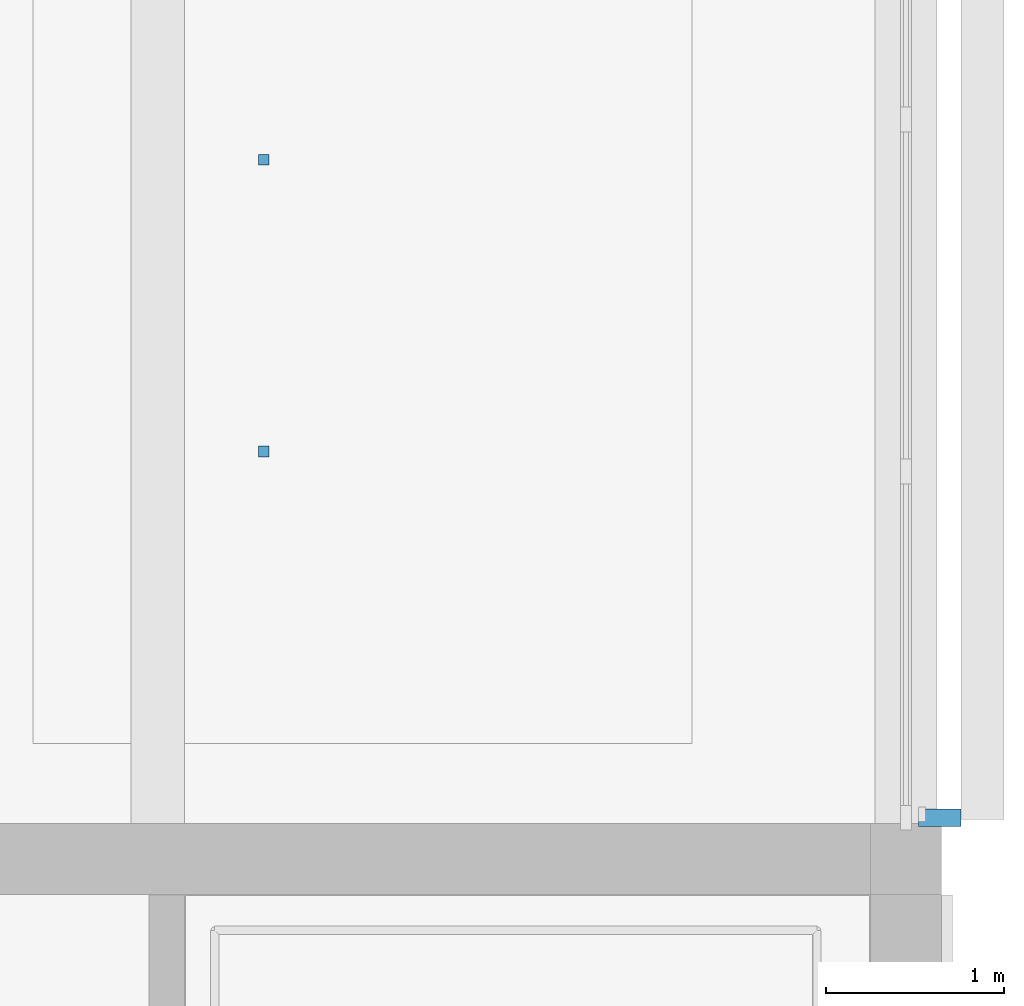
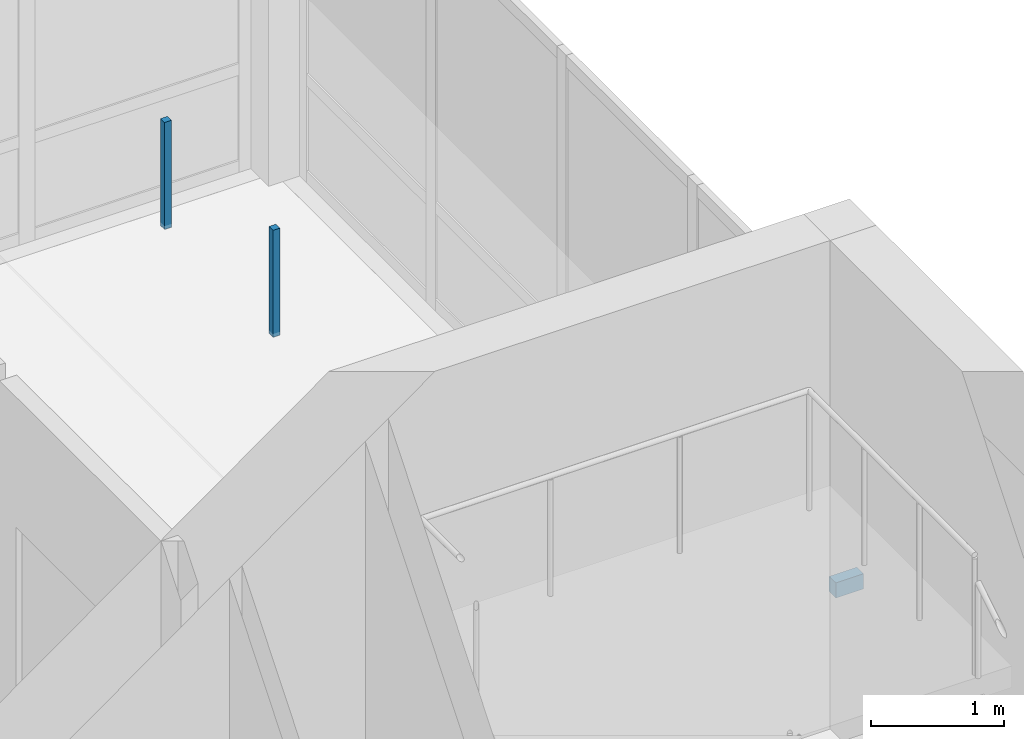
# One storey, part 19 of 30: 3 discrete accessories.
"""IFC4 building model written with IfcOpenShell, lengths in metres."""

from ifc_helpers import new_model, si_unit, direction, frame, origin, origin_2d, place, context, subcontext, project, spatial, rectangle, extrude, material, type_object, element, save


model = new_model("IFC4")

# Units and contexts
model_context = context("Model", 3, precision=1e-05, world=origin(), true_north=direction((0.0, 1.0)))
body_context = subcontext(model_context, "Body", "Model", "MODEL_VIEW")
ifc_project = project(units=[si_unit("LENGTHUNIT", "METRE"), si_unit("AREAUNIT", "SQUARE_METRE"), si_unit("VOLUMEUNIT", "CUBIC_METRE"), si_unit("PLANEANGLEUNIT", "RADIAN"), si_unit("MASSUNIT", "GRAM", prefix="KILO")], contexts=[model_context])

# Site, building, storey
site_placement = place(None, origin())
site = spatial("IfcSite", under=ifc_project, at=site_placement, CompositionType="ELEMENT")
building_placement = place(site_placement, origin())
building = spatial("IfcBuilding", under=site, at=building_placement, Name="Telukmera Botanical Conservatory", CompositionType="ELEMENT")
storey_placement = place(building_placement, frame((0.0, 0.0, 60.0)))
storey = spatial("IfcBuildingStorey", under=building, at=storey_placement, Name="L13", CompositionType="ELEMENT", Elevation=60.0)

# Discrete accessories
ifc_material = material(Name="Steel S355", Category="steel")
discrete_accessory_type_1 = type_object("IfcDiscreteAccessoryType", Name="ACC-CEIL-HGR", PredefinedType="BRACKET", material=ifc_material)
for number, where, z_axis, x_axis, name in (
    (1, (97.195068359375, 36.6875, 3.31982421875), (0.0, 0.0, 1.0), (1.0, 0.0, 0.0), "L13 Suspended Ceiling Hanger Rod 031-1"),
    (2, (97.195068359375, 38.324951171875, 3.31982421875), (0.0, 0.0, 1.0), (1.0, 0.0, 0.0), "L13 Suspended Ceiling Hanger Rod 031-2"),
):
    element("IfcDiscreteAccessory", number, at=place(storey_placement, frame(where, z_axis=z_axis, x_axis=x_axis)), inside=storey, type_object=discrete_accessory_type_1, Name=name, PredefinedType="BRACKET", context=body_context, shape_type="SweptSolid", body=[
        extrude(rectangle(XDim=0.06005859375, YDim=0.06005859375, at=origin_2d()), origin(), (0.0, 0.0, 1.0), 0.985107421875),
    ])
discrete_accessory_type_2 = type_object("IfcDiscreteAccessoryType", Name="Structural Steel Facade Outrigger Fin Bracket", PredefinedType="BRACKET", material=ifc_material)
discrete_accessory_placement = place(storey_placement, frame((100.989990234375, 34.632080078125, 0.8798828125), z_axis=(0.0, 0.0, 1.0), x_axis=(0.0, 1.0, 0.0)))
element("IfcDiscreteAccessory", 3, at=discrete_accessory_placement, inside=storey, type_object=discrete_accessory_type_2, Name="Facade Outrigger Bracket V4:L13:E4 A", PredefinedType="BRACKET", context=body_context, shape_type="SweptSolid", body=[
    extrude(rectangle(XDim=0.10009765625, YDim=0.239990234375, at=origin_2d()), origin(), (0.0, 0.0, 1.0), 0.139892578125),
])

save(model, "model.ifc")
